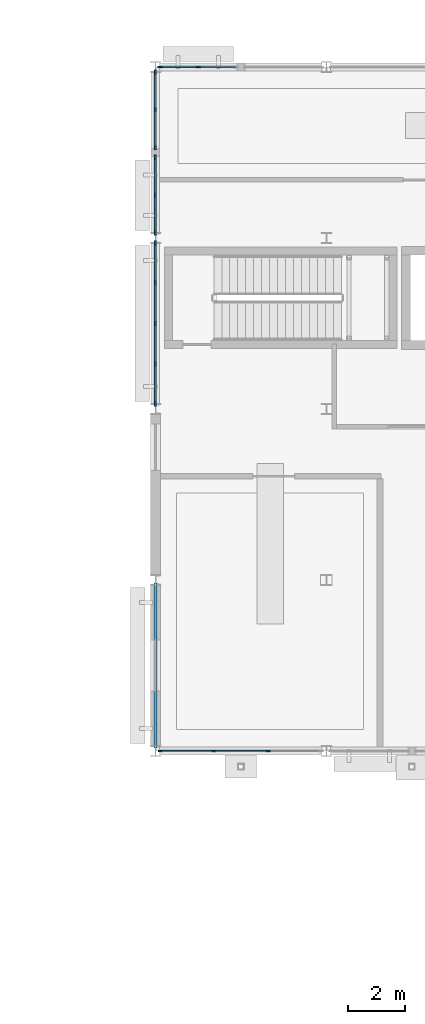
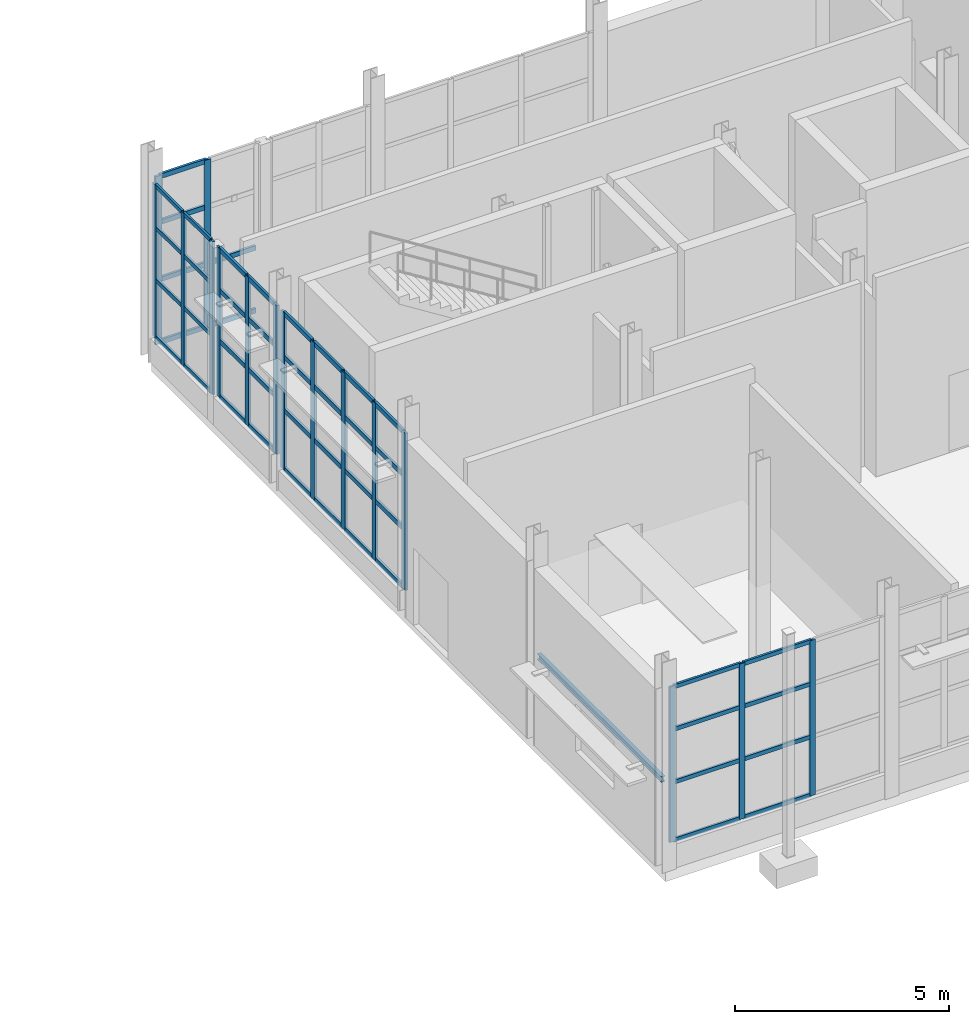
# One storey, part 53 of 120: 62 members, 1 beam, 5 elements without a shape of their own.
"""IFC4 building model written with IfcOpenShell, lengths in metres."""

from ifc_helpers import new_model, si_unit, direction, frame, origin, origin_2d, place, context, subcontext, project, spatial, rectangle, i_section, extrude, material, material_profile, profile_set, type_object, element, aggregate, save


model = new_model("IFC4")

# Units and contexts
model_context = context("Model", 3, precision=1e-05, world=origin(), true_north=direction((0.0, 1.0)))
body_context = subcontext(model_context, "Body", "Model", "MODEL_VIEW")
ifc_project = project(units=[si_unit("LENGTHUNIT", "METRE"), si_unit("AREAUNIT", "SQUARE_METRE"), si_unit("VOLUMEUNIT", "CUBIC_METRE"), si_unit("PLANEANGLEUNIT", "RADIAN"), si_unit("MASSUNIT", "GRAM", prefix="KILO")], contexts=[model_context])

# Site, building, storey
site_placement = place(None, origin())
site = spatial("IfcSite", under=ifc_project, at=site_placement, CompositionType="ELEMENT")
building_placement = place(site_placement, origin())
building = spatial("IfcBuilding", under=site, at=building_placement, Name="Siltcreek Boulevard Central Fire Station", CompositionType="ELEMENT")
storey_placement = place(building_placement, origin())
storey = spatial("IfcBuildingStorey", under=building, at=storey_placement, Name="L01", CompositionType="ELEMENT", Elevation=0.0)

# Curtain wall, members
ifc_material_1 = material(Name="Anodized aluminum and low-E insulated glazing", Category="aluminium")
curtain_wall_type_1 = type_object("IfcCurtainWallType", Name="CW_SYS_10", PredefinedType="USERDEFINED", material=ifc_material_1)
curtain_wall_1_placement = place(storey_placement, origin())
curtain_wall_1 = element("IfcCurtainWall", 1, at=curtain_wall_1_placement, inside=storey, type_object=curtain_wall_type_1, Name="L01 V5 unitised curtain wall CW-099", ObjectType="CURTAIN WALL", PredefinedType="USERDEFINED")
ifc_material_2 = material(Name="Anodized 6063-T6 aluminum framing", Category="aluminium")
ifc_material_profile_1 = material_profile(ifc_material_2, rectangle(XDim=0.06005859375, YDim=0.14990234375, at=origin_2d()), Name="MULL60X150")
ifc_profile_set_1 = profile_set([ifc_material_profile_1], Name="Anodized 6063-T6 aluminum framing")
member_type_1 = type_object("IfcMemberType", Name="CWM_60X150", PredefinedType="MULLION", material=ifc_profile_set_1)
member_1_placement = place(storey_placement, frame((124.375, 88.199951171875, 0.679931640625), z_axis=(0.0, 0.0, 1.0), x_axis=(0.0, 1.0, 0.0)))
member_1 = element("IfcMember", 2, at=member_1_placement, type_object=member_type_1, Name="CW-099 mullion 1", PredefinedType="MULLION", context=body_context, shape_type="SweptSolid", body=[
    extrude(rectangle(XDim=0.06005859375, YDim=0.14990234375, at=origin_2d()), origin(), (0.0, 0.0, 1.0), 4.43310546875),
])
member_2_placement = place(storey_placement, frame((126.248291015625, 88.199951171875, 0.679931640625), z_axis=(0.0, 0.0, 1.0), x_axis=(0.0, 1.0, 0.0)))
member_2 = element("IfcMember", 3, at=member_2_placement, type_object=member_type_1, Name="CW-099 mullion 2", PredefinedType="MULLION", context=body_context, shape_type="SweptSolid", body=[
    extrude(rectangle(XDim=0.06005859375, YDim=0.14990234375, at=origin_2d()), origin(), (0.0, 0.0, 1.0), 4.43310546875),
])
member_3_placement = place(storey_placement, frame((128.151611328125, 88.199951171875, 0.679931640625), z_axis=(0.0, 0.0, 1.0), x_axis=(0.0, 1.0, 0.0)))
member_3 = element("IfcMember", 4, at=member_3_placement, type_object=member_type_1, Name="CW-099 mullion 3", PredefinedType="MULLION", context=body_context, shape_type="SweptSolid", body=[
    extrude(rectangle(XDim=0.06005859375, YDim=0.14990234375, at=origin_2d()), origin(), (0.0, 0.0, 1.0), 4.43310546875),
])

curtain_wall_type_2 = type_object("IfcCurtainWallType", Name="CW_SYS_28", PredefinedType="USERDEFINED", material=ifc_material_1)
curtain_wall_2_placement = place(storey_placement, origin())
curtain_wall_2 = element("IfcCurtainWall", 5, at=curtain_wall_2_placement, inside=storey, type_object=curtain_wall_type_2, Name="L01 V5 unitised curtain wall CW-117", ObjectType="CURTAIN WALL", PredefinedType="USERDEFINED")
member_4_placement = place(storey_placement, frame((124.199951171875, 112.02490234375, 0.679931640625), z_axis=(0.0, 0.0, 1.0), x_axis=(1.0, 0.0, 0.0)))
member_4 = element("IfcMember", 6, at=member_4_placement, type_object=member_type_1, Name="CW-117 mullion 1", PredefinedType="MULLION", context=body_context, shape_type="SweptSolid", body=[
    extrude(rectangle(XDim=0.06005859375, YDim=0.14990234375, at=origin_2d()), origin(), (0.0, 0.0, 1.0), 4.364013671875),
])
member_5_placement = place(storey_placement, frame((124.199951171875, 110.697509765625, 0.679931640625), z_axis=(0.0, 0.0, 1.0), x_axis=(1.0, 0.0, 0.0)))
member_5 = element("IfcMember", 7, at=member_5_placement, type_object=member_type_1, Name="CW-117 mullion 2", PredefinedType="MULLION", context=body_context, shape_type="SweptSolid", body=[
    extrude(rectangle(XDim=0.06005859375, YDim=0.14990234375, at=origin_2d()), origin(), (0.0, 0.0, 1.0), 4.364013671875),
])
member_6_placement = place(storey_placement, frame((124.199951171875, 109.3701171875, 0.679931640625), z_axis=(0.0, 0.0, 1.0), x_axis=(1.0, 0.0, 0.0)))
member_6 = element("IfcMember", 8, at=member_6_placement, type_object=member_type_1, Name="CW-117 mullion 3", PredefinedType="MULLION", context=body_context, shape_type="SweptSolid", body=[
    extrude(rectangle(XDim=0.06005859375, YDim=0.14990234375, at=origin_2d()), origin(), (0.0, 0.0, 1.0), 4.364013671875),
])

curtain_wall_type_3 = type_object("IfcCurtainWallType", Name="CW_SYS_19", PredefinedType="USERDEFINED", material=ifc_material_1)
curtain_wall_3_placement = place(storey_placement, origin())
curtain_wall_3 = element("IfcCurtainWall", 9, at=curtain_wall_3_placement, inside=storey, type_object=curtain_wall_type_3, Name="L01 V5 unitised curtain wall CW-108", ObjectType="CURTAIN WALL", PredefinedType="USERDEFINED")
ifc_material_profile_2 = material_profile(ifc_material_2, rectangle(XDim=0.06494140625, YDim=0.175048828125, at=origin_2d()), Name="MULL65X175")
ifc_profile_set_2 = profile_set([ifc_material_profile_2], Name="Anodized 6063-T6 aluminum framing")
member_type_2 = type_object("IfcMemberType", Name="CWM_65X175", PredefinedType="MULLION", material=ifc_profile_set_2)
member_7_placement = place(storey_placement, frame((125.702392578125, 112.199951171875, 0.320068359375), z_axis=(0.0, 0.0, 1.0), x_axis=(0.0, -1.0, 0.0)))
member_7 = element("IfcMember", 10, at=member_7_placement, type_object=member_type_2, Name="CW-108 mullion 2", PredefinedType="MULLION", context=body_context, shape_type="SweptSolid", body=[
    extrude(rectangle(XDim=0.06494140625, YDim=0.175048828125, at=origin_2d()), origin(), (0.0, 0.0, 1.0), 4.79296875),
])
member_8_placement = place(storey_placement, frame((124.37744140625, 112.199951171875, 0.320068359375), z_axis=(0.0, 0.0, 1.0), x_axis=(0.0, -1.0, 0.0)))
member_8 = element("IfcMember", 11, at=member_8_placement, type_object=member_type_2, Name="CW-108 mullion 3", PredefinedType="MULLION", context=body_context, shape_type="SweptSolid", body=[
    extrude(rectangle(XDim=0.06494140625, YDim=0.175048828125, at=origin_2d()), origin(), (0.0, 0.0, 1.0), 4.79296875),
])

curtain_wall_type_4 = type_object("IfcCurtainWallType", Name="CW_SYS_27", PredefinedType="USERDEFINED", material=ifc_material_1)
curtain_wall_4_placement = place(storey_placement, origin())
curtain_wall_4 = element("IfcCurtainWall", 12, at=curtain_wall_4_placement, inside=storey, type_object=curtain_wall_type_4, Name="L01 V5 unitised curtain wall CW-116", ObjectType="CURTAIN WALL", PredefinedType="USERDEFINED")
member_9_placement = place(storey_placement, frame((124.199951171875, 106.0224609375, 0.56005859375), z_axis=(0.0, 0.0, 1.0), x_axis=(1.0, 0.0, 0.0)))
member_9 = element("IfcMember", 13, at=member_9_placement, type_object=member_type_2, Name="CW-116 mullion 1", PredefinedType="MULLION", context=body_context, shape_type="SweptSolid", body=[
    extrude(rectangle(XDim=0.06494140625, YDim=0.175048828125, at=origin_2d()), origin(), (0.0, 0.0, 1.0), 4.48388671875),
])
member_10_placement = place(storey_placement, frame((124.199951171875, 104.62744140625, 0.56005859375), z_axis=(0.0, 0.0, 1.0), x_axis=(1.0, 0.0, 0.0)))
member_10 = element("IfcMember", 14, at=member_10_placement, type_object=member_type_2, Name="CW-116 mullion 2", PredefinedType="MULLION", context=body_context, shape_type="SweptSolid", body=[
    extrude(rectangle(XDim=0.06494140625, YDim=0.175048828125, at=origin_2d()), origin(), (0.0, 0.0, 1.0), 4.48388671875),
])
member_11_placement = place(storey_placement, frame((124.199951171875, 103.199951171875, 0.56005859375), z_axis=(0.0, 0.0, 1.0), x_axis=(1.0, 0.0, 0.0)))
member_11 = element("IfcMember", 15, at=member_11_placement, type_object=member_type_2, Name="CW-116 mullion 3", PredefinedType="MULLION", context=body_context, shape_type="SweptSolid", body=[
    extrude(rectangle(XDim=0.06494140625, YDim=0.175048828125, at=origin_2d()), origin(), (0.0, 0.0, 1.0), 4.48388671875),
])
member_12_placement = place(storey_placement, frame((124.199951171875, 101.7724609375, 0.56005859375), z_axis=(0.0, 0.0, 1.0), x_axis=(1.0, 0.0, 0.0)))
member_12 = element("IfcMember", 16, at=member_12_placement, type_object=member_type_2, Name="CW-116 mullion 4", PredefinedType="MULLION", context=body_context, shape_type="SweptSolid", body=[
    extrude(rectangle(XDim=0.06494140625, YDim=0.175048828125, at=origin_2d()), origin(), (0.0, 0.0, 1.0), 4.48388671875),
])
member_13_placement = place(storey_placement, frame((124.199951171875, 100.37744140625, 0.56005859375), z_axis=(0.0, 0.0, 1.0), x_axis=(1.0, 0.0, 0.0)))
member_13 = element("IfcMember", 17, at=member_13_placement, type_object=member_type_2, Name="CW-116 mullion 5", PredefinedType="MULLION", context=body_context, shape_type="SweptSolid", body=[
    extrude(rectangle(XDim=0.06494140625, YDim=0.175048828125, at=origin_2d()), origin(), (0.0, 0.0, 1.0), 4.48388671875),
])

curtain_wall_type_5 = type_object("IfcCurtainWallType", Name="CW_SYS_29", PredefinedType="USERDEFINED", material=ifc_material_1)
curtain_wall_5_placement = place(storey_placement, origin())
curtain_wall_5 = element("IfcCurtainWall", 18, at=curtain_wall_5_placement, inside=storey, type_object=curtain_wall_type_5, Name="L01 V5 unitised curtain wall CW-118", ObjectType="CURTAIN WALL", PredefinedType="USERDEFINED")
member_14_placement = place(storey_placement, frame((124.199951171875, 109.027587890625, 0.800048828125), z_axis=(0.0, 0.0, 1.0), x_axis=(1.0, 0.0, 0.0)))
member_14 = element("IfcMember", 19, at=member_14_placement, type_object=member_type_2, Name="CW-118 mullion 1", PredefinedType="MULLION", context=body_context, shape_type="SweptSolid", body=[
    extrude(rectangle(XDim=0.06494140625, YDim=0.175048828125, at=origin_2d()), origin(), (0.0, 0.0, 1.0), 4.243896484375),
])
member_15_placement = place(storey_placement, frame((124.199951171875, 107.702392578125, 0.800048828125), z_axis=(0.0, 0.0, 1.0), x_axis=(1.0, 0.0, 0.0)))
member_15 = element("IfcMember", 20, at=member_15_placement, type_object=member_type_2, Name="CW-118 mullion 2", PredefinedType="MULLION", context=body_context, shape_type="SweptSolid", body=[
    extrude(rectangle(XDim=0.06494140625, YDim=0.175048828125, at=origin_2d()), origin(), (0.0, 0.0, 1.0), 4.243896484375),
])
member_16_placement = place(storey_placement, frame((124.199951171875, 106.37744140625, 0.800048828125), z_axis=(0.0, 0.0, 1.0), x_axis=(1.0, 0.0, 0.0)))
member_16 = element("IfcMember", 21, at=member_16_placement, type_object=member_type_2, Name="CW-118 mullion 3", PredefinedType="MULLION", context=body_context, shape_type="SweptSolid", body=[
    extrude(rectangle(XDim=0.06494140625, YDim=0.175048828125, at=origin_2d()), origin(), (0.0, 0.0, 1.0), 4.243896484375),
])

# Member
ifc_material_profile_3 = material_profile(ifc_material_2, rectangle(XDim=0.06005859375, YDim=0.114990234375, at=origin_2d()), Name="TRAN60X115")
ifc_profile_set_3 = profile_set([ifc_material_profile_3], Name="Anodized 6063-T6 aluminum framing")
member_type_3 = type_object("IfcMemberType", Name="CWT_60X115", PredefinedType="USERDEFINED", material=ifc_profile_set_3)
member_17_placement = place(storey_placement, frame((124.405029296875, 88.199951171875, 0.7099609375), z_axis=(1.0, 0.0, 0.0), x_axis=(0.0, 1.0, 0.0)))
member_17 = element("IfcMember", 22, at=member_17_placement, type_object=member_type_3, Name="CW-099 transom 1.1", ObjectType="TRANSOM", PredefinedType="USERDEFINED", context=body_context, shape_type="SweptSolid", body=[
    extrude(rectangle(XDim=0.06005859375, YDim=0.114990234375, at=origin_2d()), origin(), (0.0, 0.0, 1.0), 1.813232421875),
])

member_18_placement = place(storey_placement, frame((124.405029296875, 88.199951171875, 2.364501953125), z_axis=(1.0, 0.0, 0.0), x_axis=(0.0, 1.0, 0.0)))
member_18 = element("IfcMember", 23, at=member_18_placement, type_object=member_type_3, Name="CW-099 transom 1.2", ObjectType="TRANSOM", PredefinedType="USERDEFINED", context=body_context, shape_type="SweptSolid", body=[
    extrude(rectangle(XDim=0.06005859375, YDim=0.114990234375, at=origin_2d()), origin(), (0.0, 0.0, 1.0), 1.813232421875),
])

member_19_placement = place(storey_placement, frame((124.405029296875, 88.199951171875, 3.871826171875), z_axis=(1.0, 0.0, 0.0), x_axis=(0.0, 1.0, 0.0)))
member_19 = element("IfcMember", 24, at=member_19_placement, type_object=member_type_3, Name="CW-099 transom 1.3", ObjectType="TRANSOM", PredefinedType="USERDEFINED", context=body_context, shape_type="SweptSolid", body=[
    extrude(rectangle(XDim=0.06005859375, YDim=0.114990234375, at=origin_2d()), origin(), (0.0, 0.0, 1.0), 1.813232421875),
])

member_20_placement = place(storey_placement, frame((124.405029296875, 88.199951171875, 5.0830078125), z_axis=(1.0, 0.0, 0.0), x_axis=(0.0, 1.0, 0.0)))
member_20 = element("IfcMember", 25, at=member_20_placement, type_object=member_type_3, Name="CW-099 transom 1.4", ObjectType="TRANSOM", PredefinedType="USERDEFINED", context=body_context, shape_type="SweptSolid", body=[
    extrude(rectangle(XDim=0.06005859375, YDim=0.114990234375, at=origin_2d()), origin(), (0.0, 0.0, 1.0), 1.813232421875),
])

member_21_placement = place(storey_placement, frame((126.2783203125, 88.199951171875, 0.7099609375), z_axis=(1.0, 0.0, 0.0), x_axis=(0.0, 1.0, 0.0)))
member_21 = element("IfcMember", 26, at=member_21_placement, type_object=member_type_3, Name="CW-099 transom 2.1", ObjectType="TRANSOM", PredefinedType="USERDEFINED", context=body_context, shape_type="SweptSolid", body=[
    extrude(rectangle(XDim=0.06005859375, YDim=0.114990234375, at=origin_2d()), origin(), (0.0, 0.0, 1.0), 1.84326171875),
])

member_22_placement = place(storey_placement, frame((126.2783203125, 88.199951171875, 2.364501953125), z_axis=(1.0, 0.0, 0.0), x_axis=(0.0, 1.0, 0.0)))
member_22 = element("IfcMember", 27, at=member_22_placement, type_object=member_type_3, Name="CW-099 transom 2.2", ObjectType="TRANSOM", PredefinedType="USERDEFINED", context=body_context, shape_type="SweptSolid", body=[
    extrude(rectangle(XDim=0.06005859375, YDim=0.114990234375, at=origin_2d()), origin(), (0.0, 0.0, 1.0), 1.84326171875),
])

member_23_placement = place(storey_placement, frame((126.2783203125, 88.199951171875, 3.871826171875), z_axis=(1.0, 0.0, 0.0), x_axis=(0.0, 1.0, 0.0)))
member_23 = element("IfcMember", 28, at=member_23_placement, type_object=member_type_3, Name="CW-099 transom 2.3", ObjectType="TRANSOM", PredefinedType="USERDEFINED", context=body_context, shape_type="SweptSolid", body=[
    extrude(rectangle(XDim=0.06005859375, YDim=0.114990234375, at=origin_2d()), origin(), (0.0, 0.0, 1.0), 1.84326171875),
])

member_24_placement = place(storey_placement, frame((126.2783203125, 88.199951171875, 5.0830078125), z_axis=(1.0, 0.0, 0.0), x_axis=(0.0, 1.0, 0.0)))
member_24 = element("IfcMember", 29, at=member_24_placement, type_object=member_type_3, Name="CW-099 transom 2.4", ObjectType="TRANSOM", PredefinedType="USERDEFINED", context=body_context, shape_type="SweptSolid", body=[
    extrude(rectangle(XDim=0.06005859375, YDim=0.114990234375, at=origin_2d()), origin(), (0.0, 0.0, 1.0), 1.84326171875),
])

aggregate(curtain_wall_1, [member_1, member_2, member_3, member_17, member_18, member_19, member_20, member_21, member_22, member_23, member_24])

member_25_placement = place(storey_placement, frame((124.199951171875, 111.9951171875, 0.7099609375), z_axis=(0.0, -1.0, 0.0), x_axis=(1.0, 0.0, 0.0)))
member_25 = element("IfcMember", 30, at=member_25_placement, type_object=member_type_3, Name="CW-117 transom 1.1", ObjectType="TRANSOM", PredefinedType="USERDEFINED", context=body_context, shape_type="SweptSolid", body=[
    extrude(rectangle(XDim=0.06005859375, YDim=0.114990234375, at=origin_2d()), origin(), (0.0, 0.0, 1.0), 1.267578125),
])

member_26_placement = place(storey_placement, frame((124.199951171875, 111.9951171875, 2.33837890625), z_axis=(0.0, -1.0, 0.0), x_axis=(1.0, 0.0, 0.0)))
member_26 = element("IfcMember", 31, at=member_26_placement, type_object=member_type_3, Name="CW-117 transom 1.2", ObjectType="TRANSOM", PredefinedType="USERDEFINED", context=body_context, shape_type="SweptSolid", body=[
    extrude(rectangle(XDim=0.06005859375, YDim=0.114990234375, at=origin_2d()), origin(), (0.0, 0.0, 1.0), 1.267578125),
])

member_27_placement = place(storey_placement, frame((124.199951171875, 111.9951171875, 3.822021484375), z_axis=(0.0, -1.0, 0.0), x_axis=(1.0, 0.0, 0.0)))
member_27 = element("IfcMember", 32, at=member_27_placement, type_object=member_type_3, Name="CW-117 transom 1.3", ObjectType="TRANSOM", PredefinedType="USERDEFINED", context=body_context, shape_type="SweptSolid", body=[
    extrude(rectangle(XDim=0.06005859375, YDim=0.114990234375, at=origin_2d()), origin(), (0.0, 0.0, 1.0), 1.267578125),
])

member_28_placement = place(storey_placement, frame((124.199951171875, 111.9951171875, 5.013916015625), z_axis=(0.0, -1.0, 0.0), x_axis=(1.0, 0.0, 0.0)))
member_28 = element("IfcMember", 33, at=member_28_placement, type_object=member_type_3, Name="CW-117 transom 1.4", ObjectType="TRANSOM", PredefinedType="USERDEFINED", context=body_context, shape_type="SweptSolid", body=[
    extrude(rectangle(XDim=0.06005859375, YDim=0.114990234375, at=origin_2d()), origin(), (0.0, 0.0, 1.0), 1.267578125),
])

member_29_placement = place(storey_placement, frame((124.199951171875, 110.66748046875, 0.7099609375), z_axis=(0.0, -1.0, 0.0), x_axis=(1.0, 0.0, 0.0)))
member_29 = element("IfcMember", 34, at=member_29_placement, type_object=member_type_3, Name="CW-117 transom 2.1", ObjectType="TRANSOM", PredefinedType="USERDEFINED", context=body_context, shape_type="SweptSolid", body=[
    extrude(rectangle(XDim=0.06005859375, YDim=0.114990234375, at=origin_2d()), origin(), (0.0, 0.0, 1.0), 1.267578125),
])

member_30_placement = place(storey_placement, frame((124.199951171875, 110.66748046875, 2.33837890625), z_axis=(0.0, -1.0, 0.0), x_axis=(1.0, 0.0, 0.0)))
member_30 = element("IfcMember", 35, at=member_30_placement, type_object=member_type_3, Name="CW-117 transom 2.2", ObjectType="TRANSOM", PredefinedType="USERDEFINED", context=body_context, shape_type="SweptSolid", body=[
    extrude(rectangle(XDim=0.06005859375, YDim=0.114990234375, at=origin_2d()), origin(), (0.0, 0.0, 1.0), 1.267578125),
])

member_31_placement = place(storey_placement, frame((124.199951171875, 110.66748046875, 3.822021484375), z_axis=(0.0, -1.0, 0.0), x_axis=(1.0, 0.0, 0.0)))
member_31 = element("IfcMember", 36, at=member_31_placement, type_object=member_type_3, Name="CW-117 transom 2.3", ObjectType="TRANSOM", PredefinedType="USERDEFINED", context=body_context, shape_type="SweptSolid", body=[
    extrude(rectangle(XDim=0.06005859375, YDim=0.114990234375, at=origin_2d()), origin(), (0.0, 0.0, 1.0), 1.267578125),
])

member_32_placement = place(storey_placement, frame((124.199951171875, 110.66748046875, 5.013916015625), z_axis=(0.0, -1.0, 0.0), x_axis=(1.0, 0.0, 0.0)))
member_32 = element("IfcMember", 37, at=member_32_placement, type_object=member_type_3, Name="CW-117 transom 2.4", ObjectType="TRANSOM", PredefinedType="USERDEFINED", context=body_context, shape_type="SweptSolid", body=[
    extrude(rectangle(XDim=0.06005859375, YDim=0.114990234375, at=origin_2d()), origin(), (0.0, 0.0, 1.0), 1.267578125),
])

aggregate(curtain_wall_2, [member_4, member_5, member_6, member_25, member_26, member_27, member_28, member_29, member_30, member_31, member_32])

ifc_material_profile_4 = material_profile(ifc_material_2, rectangle(XDim=0.06494140625, YDim=0.135009765625, at=origin_2d()), Name="TRAN65X135")
ifc_profile_set_4 = profile_set([ifc_material_profile_4], Name="Anodized 6063-T6 aluminum framing")
member_type_4 = type_object("IfcMemberType", Name="CWT_65X135", PredefinedType="USERDEFINED", material=ifc_profile_set_4)
member_33_placement = place(storey_placement, frame((126.9951171875, 112.199951171875, 0.3525390625), z_axis=(-1.0, 0.0, 0.0), x_axis=(0.0, -1.0, 0.0)))
member_33 = element("IfcMember", 38, at=member_33_placement, type_object=member_type_4, Name="CW-108 transom 1.1", ObjectType="TRANSOM", PredefinedType="USERDEFINED", context=body_context, shape_type="SweptSolid", body=[
    extrude(rectangle(XDim=0.06494140625, YDim=0.135009765625, at=origin_2d()), origin(), (0.0, 0.0, 1.0), 1.260009765625),
])

member_34_placement = place(storey_placement, frame((126.9951171875, 112.199951171875, 2.141357421875), z_axis=(-1.0, 0.0, 0.0), x_axis=(0.0, -1.0, 0.0)))
member_34 = element("IfcMember", 39, at=member_34_placement, type_object=member_type_4, Name="CW-108 transom 1.2", ObjectType="TRANSOM", PredefinedType="USERDEFINED", context=body_context, shape_type="SweptSolid", body=[
    extrude(rectangle(XDim=0.06494140625, YDim=0.135009765625, at=origin_2d()), origin(), (0.0, 0.0, 1.0), 1.260009765625),
])

member_35_placement = place(storey_placement, frame((125.669921875, 112.199951171875, 0.3525390625), z_axis=(-1.0, 0.0, 0.0), x_axis=(0.0, -1.0, 0.0)))
member_35 = element("IfcMember", 40, at=member_35_placement, type_object=member_type_4, Name="CW-108 transom 2.1", ObjectType="TRANSOM", PredefinedType="USERDEFINED", context=body_context, shape_type="SweptSolid", body=[
    extrude(rectangle(XDim=0.06494140625, YDim=0.135009765625, at=origin_2d()), origin(), (0.0, 0.0, 1.0), 1.260009765625),
])

member_36_placement = place(storey_placement, frame((125.669921875, 112.199951171875, 2.141357421875), z_axis=(-1.0, 0.0, 0.0), x_axis=(0.0, -1.0, 0.0)))
member_36 = element("IfcMember", 41, at=member_36_placement, type_object=member_type_4, Name="CW-108 transom 2.2", ObjectType="TRANSOM", PredefinedType="USERDEFINED", context=body_context, shape_type="SweptSolid", body=[
    extrude(rectangle(XDim=0.06494140625, YDim=0.135009765625, at=origin_2d()), origin(), (0.0, 0.0, 1.0), 1.260009765625),
])

member_37_placement = place(storey_placement, frame((125.669921875, 112.199951171875, 3.77099609375), z_axis=(-1.0, 0.0, 0.0), x_axis=(0.0, -1.0, 0.0)))
member_37 = element("IfcMember", 42, at=member_37_placement, type_object=member_type_4, Name="CW-108 transom 2.3", ObjectType="TRANSOM", PredefinedType="USERDEFINED", context=body_context, shape_type="SweptSolid", body=[
    extrude(rectangle(XDim=0.06494140625, YDim=0.135009765625, at=origin_2d()), origin(), (0.0, 0.0, 1.0), 1.260009765625),
])

member_38_placement = place(storey_placement, frame((125.669921875, 112.199951171875, 5.08056640625), z_axis=(-1.0, 0.0, 0.0), x_axis=(0.0, -1.0, 0.0)))
member_38 = element("IfcMember", 43, at=member_38_placement, type_object=member_type_4, Name="CW-108 transom 2.4", ObjectType="TRANSOM", PredefinedType="USERDEFINED", context=body_context, shape_type="SweptSolid", body=[
    extrude(rectangle(XDim=0.06494140625, YDim=0.135009765625, at=origin_2d()), origin(), (0.0, 0.0, 1.0), 1.260009765625),
])

aggregate(curtain_wall_3, [member_7, member_8, member_33, member_34, member_35, member_36, member_37, member_38])

member_39_placement = place(storey_placement, frame((124.199951171875, 105.989990234375, 0.592529296875), z_axis=(0.0, -1.0, 0.0), x_axis=(1.0, 0.0, 0.0)))
member_39 = element("IfcMember", 44, at=member_39_placement, type_object=member_type_4, Name="CW-116 transom 1.1", ObjectType="TRANSOM", PredefinedType="USERDEFINED", context=body_context, shape_type="SweptSolid", body=[
    extrude(rectangle(XDim=0.06494140625, YDim=0.135009765625, at=origin_2d()), origin(), (0.0, 0.0, 1.0), 1.330078125),
])

member_40_placement = place(storey_placement, frame((124.199951171875, 105.989990234375, 2.263916015625), z_axis=(0.0, -1.0, 0.0), x_axis=(1.0, 0.0, 0.0)))
member_40 = element("IfcMember", 45, at=member_40_placement, type_object=member_type_4, Name="CW-116 transom 1.2", ObjectType="TRANSOM", PredefinedType="USERDEFINED", context=body_context, shape_type="SweptSolid", body=[
    extrude(rectangle(XDim=0.06494140625, YDim=0.135009765625, at=origin_2d()), origin(), (0.0, 0.0, 1.0), 1.330078125),
])

member_41_placement = place(storey_placement, frame((124.199951171875, 105.989990234375, 3.78857421875), z_axis=(0.0, -1.0, 0.0), x_axis=(1.0, 0.0, 0.0)))
member_41 = element("IfcMember", 46, at=member_41_placement, type_object=member_type_4, Name="CW-116 transom 1.3", ObjectType="TRANSOM", PredefinedType="USERDEFINED", context=body_context, shape_type="SweptSolid", body=[
    extrude(rectangle(XDim=0.06494140625, YDim=0.135009765625, at=origin_2d()), origin(), (0.0, 0.0, 1.0), 1.330078125),
])

member_42_placement = place(storey_placement, frame((124.199951171875, 105.989990234375, 5.011474609375), z_axis=(0.0, -1.0, 0.0), x_axis=(1.0, 0.0, 0.0)))
member_42 = element("IfcMember", 47, at=member_42_placement, type_object=member_type_4, Name="CW-116 transom 1.4", ObjectType="TRANSOM", PredefinedType="USERDEFINED", context=body_context, shape_type="SweptSolid", body=[
    extrude(rectangle(XDim=0.06494140625, YDim=0.135009765625, at=origin_2d()), origin(), (0.0, 0.0, 1.0), 1.330078125),
])

member_43_placement = place(storey_placement, frame((124.199951171875, 104.594970703125, 0.592529296875), z_axis=(0.0, -1.0, 0.0), x_axis=(1.0, 0.0, 0.0)))
member_43 = element("IfcMember", 48, at=member_43_placement, type_object=member_type_4, Name="CW-116 transom 2.1", ObjectType="TRANSOM", PredefinedType="USERDEFINED", context=body_context, shape_type="SweptSolid", body=[
    extrude(rectangle(XDim=0.06494140625, YDim=0.135009765625, at=origin_2d()), origin(), (0.0, 0.0, 1.0), 1.362548828125),
])

member_44_placement = place(storey_placement, frame((124.199951171875, 104.594970703125, 2.263916015625), z_axis=(0.0, -1.0, 0.0), x_axis=(1.0, 0.0, 0.0)))
member_44 = element("IfcMember", 49, at=member_44_placement, type_object=member_type_4, Name="CW-116 transom 2.2", ObjectType="TRANSOM", PredefinedType="USERDEFINED", context=body_context, shape_type="SweptSolid", body=[
    extrude(rectangle(XDim=0.06494140625, YDim=0.135009765625, at=origin_2d()), origin(), (0.0, 0.0, 1.0), 1.362548828125),
])

member_45_placement = place(storey_placement, frame((124.199951171875, 104.594970703125, 3.78857421875), z_axis=(0.0, -1.0, 0.0), x_axis=(1.0, 0.0, 0.0)))
member_45 = element("IfcMember", 50, at=member_45_placement, type_object=member_type_4, Name="CW-116 transom 2.3", ObjectType="TRANSOM", PredefinedType="USERDEFINED", context=body_context, shape_type="SweptSolid", body=[
    extrude(rectangle(XDim=0.06494140625, YDim=0.135009765625, at=origin_2d()), origin(), (0.0, 0.0, 1.0), 1.362548828125),
])

member_46_placement = place(storey_placement, frame((124.199951171875, 104.594970703125, 5.011474609375), z_axis=(0.0, -1.0, 0.0), x_axis=(1.0, 0.0, 0.0)))
member_46 = element("IfcMember", 51, at=member_46_placement, type_object=member_type_4, Name="CW-116 transom 2.4", ObjectType="TRANSOM", PredefinedType="USERDEFINED", context=body_context, shape_type="SweptSolid", body=[
    extrude(rectangle(XDim=0.06494140625, YDim=0.135009765625, at=origin_2d()), origin(), (0.0, 0.0, 1.0), 1.362548828125),
])

member_47_placement = place(storey_placement, frame((124.199951171875, 103.16748046875, 0.592529296875), z_axis=(0.0, -1.0, 0.0), x_axis=(1.0, 0.0, 0.0)))
member_47 = element("IfcMember", 52, at=member_47_placement, type_object=member_type_4, Name="CW-116 transom 3.1", ObjectType="TRANSOM", PredefinedType="USERDEFINED", context=body_context, shape_type="SweptSolid", body=[
    extrude(rectangle(XDim=0.06494140625, YDim=0.135009765625, at=origin_2d()), origin(), (0.0, 0.0, 1.0), 1.362548828125),
])

member_48_placement = place(storey_placement, frame((124.199951171875, 103.16748046875, 2.263916015625), z_axis=(0.0, -1.0, 0.0), x_axis=(1.0, 0.0, 0.0)))
member_48 = element("IfcMember", 53, at=member_48_placement, type_object=member_type_4, Name="CW-116 transom 3.2", ObjectType="TRANSOM", PredefinedType="USERDEFINED", context=body_context, shape_type="SweptSolid", body=[
    extrude(rectangle(XDim=0.06494140625, YDim=0.135009765625, at=origin_2d()), origin(), (0.0, 0.0, 1.0), 1.362548828125),
])

member_49_placement = place(storey_placement, frame((124.199951171875, 103.16748046875, 3.78857421875), z_axis=(0.0, -1.0, 0.0), x_axis=(1.0, 0.0, 0.0)))
member_49 = element("IfcMember", 54, at=member_49_placement, type_object=member_type_4, Name="CW-116 transom 3.3", ObjectType="TRANSOM", PredefinedType="USERDEFINED", context=body_context, shape_type="SweptSolid", body=[
    extrude(rectangle(XDim=0.06494140625, YDim=0.135009765625, at=origin_2d()), origin(), (0.0, 0.0, 1.0), 1.362548828125),
])

member_50_placement = place(storey_placement, frame((124.199951171875, 103.16748046875, 5.011474609375), z_axis=(0.0, -1.0, 0.0), x_axis=(1.0, 0.0, 0.0)))
member_50 = element("IfcMember", 55, at=member_50_placement, type_object=member_type_4, Name="CW-116 transom 3.4", ObjectType="TRANSOM", PredefinedType="USERDEFINED", context=body_context, shape_type="SweptSolid", body=[
    extrude(rectangle(XDim=0.06494140625, YDim=0.135009765625, at=origin_2d()), origin(), (0.0, 0.0, 1.0), 1.362548828125),
])

member_51_placement = place(storey_placement, frame((124.199951171875, 101.739990234375, 0.592529296875), z_axis=(0.0, -1.0, 0.0), x_axis=(1.0, 0.0, 0.0)))
member_51 = element("IfcMember", 56, at=member_51_placement, type_object=member_type_4, Name="CW-116 transom 4.1", ObjectType="TRANSOM", PredefinedType="USERDEFINED", context=body_context, shape_type="SweptSolid", body=[
    extrude(rectangle(XDim=0.06494140625, YDim=0.135009765625, at=origin_2d()), origin(), (0.0, 0.0, 1.0), 1.330078125),
])

member_52_placement = place(storey_placement, frame((124.199951171875, 101.739990234375, 2.263916015625), z_axis=(0.0, -1.0, 0.0), x_axis=(1.0, 0.0, 0.0)))
member_52 = element("IfcMember", 57, at=member_52_placement, type_object=member_type_4, Name="CW-116 transom 4.2", ObjectType="TRANSOM", PredefinedType="USERDEFINED", context=body_context, shape_type="SweptSolid", body=[
    extrude(rectangle(XDim=0.06494140625, YDim=0.135009765625, at=origin_2d()), origin(), (0.0, 0.0, 1.0), 1.330078125),
])

member_53_placement = place(storey_placement, frame((124.199951171875, 101.739990234375, 3.78857421875), z_axis=(0.0, -1.0, 0.0), x_axis=(1.0, 0.0, 0.0)))
member_53 = element("IfcMember", 58, at=member_53_placement, type_object=member_type_4, Name="CW-116 transom 4.3", ObjectType="TRANSOM", PredefinedType="USERDEFINED", context=body_context, shape_type="SweptSolid", body=[
    extrude(rectangle(XDim=0.06494140625, YDim=0.135009765625, at=origin_2d()), origin(), (0.0, 0.0, 1.0), 1.330078125),
])

member_54_placement = place(storey_placement, frame((124.199951171875, 101.739990234375, 5.011474609375), z_axis=(0.0, -1.0, 0.0), x_axis=(1.0, 0.0, 0.0)))
member_54 = element("IfcMember", 59, at=member_54_placement, type_object=member_type_4, Name="CW-116 transom 4.4", ObjectType="TRANSOM", PredefinedType="USERDEFINED", context=body_context, shape_type="SweptSolid", body=[
    extrude(rectangle(XDim=0.06494140625, YDim=0.135009765625, at=origin_2d()), origin(), (0.0, 0.0, 1.0), 1.330078125),
])

aggregate(curtain_wall_4, [member_9, member_10, member_11, member_12, member_13, member_39, member_40, member_41, member_42, member_43, member_44, member_45, member_46, member_47, member_48, member_49, member_50, member_51, member_52, member_53, member_54])

member_55_placement = place(storey_placement, frame((124.199951171875, 108.9951171875, 0.83251953125), z_axis=(0.0, -1.0, 0.0), x_axis=(1.0, 0.0, 0.0)))
member_55 = element("IfcMember", 60, at=member_55_placement, type_object=member_type_4, Name="CW-118 transom 1.1", ObjectType="TRANSOM", PredefinedType="USERDEFINED", context=body_context, shape_type="SweptSolid", body=[
    extrude(rectangle(XDim=0.06494140625, YDim=0.135009765625, at=origin_2d()), origin(), (0.0, 0.0, 1.0), 1.260009765625),
])

member_56_placement = place(storey_placement, frame((124.199951171875, 108.9951171875, 2.41259765625), z_axis=(0.0, -1.0, 0.0), x_axis=(1.0, 0.0, 0.0)))
member_56 = element("IfcMember", 61, at=member_56_placement, type_object=member_type_4, Name="CW-118 transom 1.2", ObjectType="TRANSOM", PredefinedType="USERDEFINED", context=body_context, shape_type="SweptSolid", body=[
    extrude(rectangle(XDim=0.06494140625, YDim=0.135009765625, at=origin_2d()), origin(), (0.0, 0.0, 1.0), 1.260009765625),
])

member_57_placement = place(storey_placement, frame((124.199951171875, 108.9951171875, 3.855712890625), z_axis=(0.0, -1.0, 0.0), x_axis=(1.0, 0.0, 0.0)))
member_57 = element("IfcMember", 62, at=member_57_placement, type_object=member_type_4, Name="CW-118 transom 1.3", ObjectType="TRANSOM", PredefinedType="USERDEFINED", context=body_context, shape_type="SweptSolid", body=[
    extrude(rectangle(XDim=0.06494140625, YDim=0.135009765625, at=origin_2d()), origin(), (0.0, 0.0, 1.0), 1.260009765625),
])

member_58_placement = place(storey_placement, frame((124.199951171875, 108.9951171875, 5.011474609375), z_axis=(0.0, -1.0, 0.0), x_axis=(1.0, 0.0, 0.0)))
member_58 = element("IfcMember", 63, at=member_58_placement, type_object=member_type_4, Name="CW-118 transom 1.4", ObjectType="TRANSOM", PredefinedType="USERDEFINED", context=body_context, shape_type="SweptSolid", body=[
    extrude(rectangle(XDim=0.06494140625, YDim=0.135009765625, at=origin_2d()), origin(), (0.0, 0.0, 1.0), 1.260009765625),
])

member_59_placement = place(storey_placement, frame((124.199951171875, 107.669921875, 0.83251953125), z_axis=(0.0, -1.0, 0.0), x_axis=(1.0, 0.0, 0.0)))
member_59 = element("IfcMember", 64, at=member_59_placement, type_object=member_type_4, Name="CW-118 transom 2.1", ObjectType="TRANSOM", PredefinedType="USERDEFINED", context=body_context, shape_type="SweptSolid", body=[
    extrude(rectangle(XDim=0.06494140625, YDim=0.135009765625, at=origin_2d()), origin(), (0.0, 0.0, 1.0), 1.260009765625),
])

member_60_placement = place(storey_placement, frame((124.199951171875, 107.669921875, 2.41259765625), z_axis=(0.0, -1.0, 0.0), x_axis=(1.0, 0.0, 0.0)))
member_60 = element("IfcMember", 65, at=member_60_placement, type_object=member_type_4, Name="CW-118 transom 2.2", ObjectType="TRANSOM", PredefinedType="USERDEFINED", context=body_context, shape_type="SweptSolid", body=[
    extrude(rectangle(XDim=0.06494140625, YDim=0.135009765625, at=origin_2d()), origin(), (0.0, 0.0, 1.0), 1.260009765625),
])

member_61_placement = place(storey_placement, frame((124.199951171875, 107.669921875, 3.855712890625), z_axis=(0.0, -1.0, 0.0), x_axis=(1.0, 0.0, 0.0)))
member_61 = element("IfcMember", 66, at=member_61_placement, type_object=member_type_4, Name="CW-118 transom 2.3", ObjectType="TRANSOM", PredefinedType="USERDEFINED", context=body_context, shape_type="SweptSolid", body=[
    extrude(rectangle(XDim=0.06494140625, YDim=0.135009765625, at=origin_2d()), origin(), (0.0, 0.0, 1.0), 1.260009765625),
])

member_62_placement = place(storey_placement, frame((124.199951171875, 107.669921875, 5.011474609375), z_axis=(0.0, -1.0, 0.0), x_axis=(1.0, 0.0, 0.0)))
member_62 = element("IfcMember", 67, at=member_62_placement, type_object=member_type_4, Name="CW-118 transom 2.4", ObjectType="TRANSOM", PredefinedType="USERDEFINED", context=body_context, shape_type="SweptSolid", body=[
    extrude(rectangle(XDim=0.06494140625, YDim=0.135009765625, at=origin_2d()), origin(), (0.0, 0.0, 1.0), 1.260009765625),
])

aggregate(curtain_wall_5, [member_14, member_15, member_16, member_55, member_56, member_57, member_58, member_59, member_60, member_61, member_62])

# Beam
ifc_material_3 = material(Name="Structural steel ASTM A992 Gr50", Category="steel")
ifc_material_profile_5 = material_profile(ifc_material_3, i_section(OverallWidth=0.10205078125, OverallDepth=0.159912109375, WebThickness=0.006591796875, FlangeThickness=0.01025390625, at=origin_2d()), Name="W150X24")
ifc_profile_set_5 = profile_set([ifc_material_profile_5], Name="Structural steel ASTM A992 Gr50")
beam_type = type_object("IfcBeamType", Name="LIN_W150X24", PredefinedType="LINTEL", material=ifc_profile_set_5)
beam_placement = place(storey_placement, frame((124.199951171875, 94.10009765625, 2.449951171875), z_axis=(0.0, -1.0, 0.0), x_axis=(1.0, 0.0, 0.0)))
element("IfcBeam", 68, at=beam_placement, inside=storey, type_object=beam_type, Name="Exterior window steel lintel WLN-44", PredefinedType="LINTEL", context=body_context, shape_type="SweptSolid", body=[
    extrude(i_section(OverallWidth=0.10205078125, OverallDepth=0.159912109375, WebThickness=0.006591796875, FlangeThickness=0.01025390625, at=origin_2d()), origin(), (0.0, 0.0, 1.0), 5.800048828125),
])

save(model, "model.ifc")
